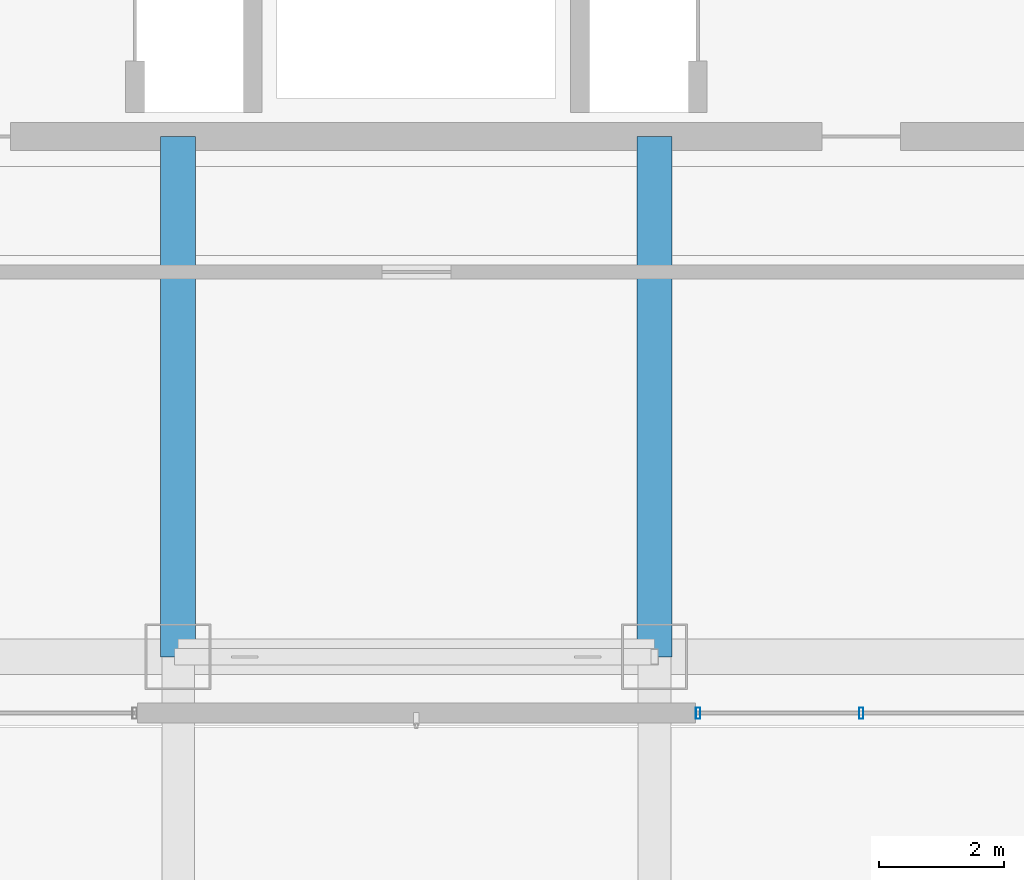
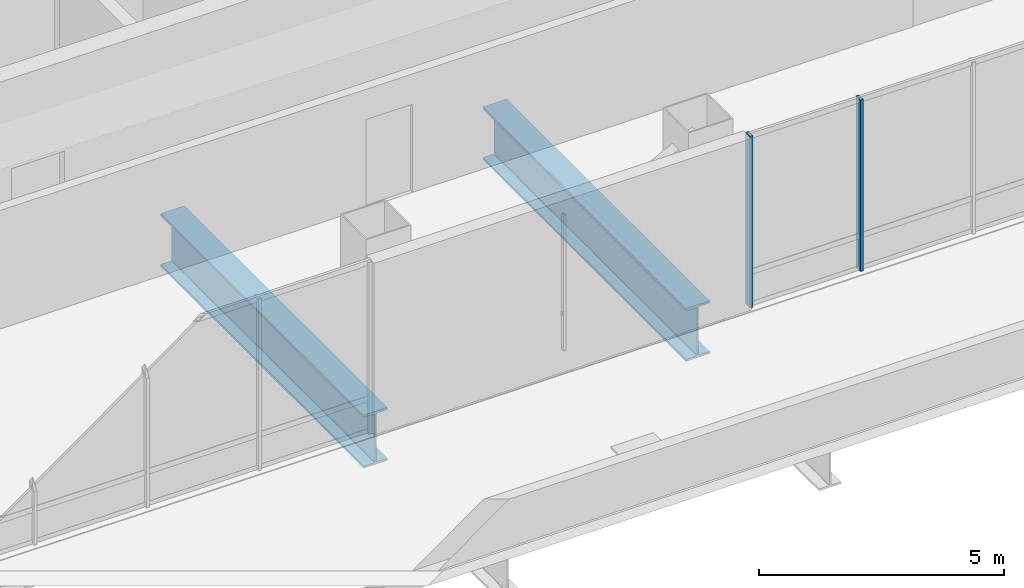
# One storey, part 7 of 33: 2 beams, 2 members, 1 element without a shape of its own.
"""IFC4 building model written with IfcOpenShell, lengths in metres."""

from ifc_helpers import new_model, si_unit, direction, frame, origin, origin_2d, place, context, subcontext, project, spatial, hollow_rectangle, i_section, extrude, material, material_profile, profile_set, type_object, element, aggregate, save


model = new_model("IFC4")

# Units and contexts
model_context = context("Model", 3, precision=1e-05, world=origin(), true_north=direction((0.0, 1.0)))
body_context = subcontext(model_context, "Body", "Model", "MODEL_VIEW")
ifc_project = project(units=[si_unit("LENGTHUNIT", "METRE"), si_unit("AREAUNIT", "SQUARE_METRE"), si_unit("VOLUMEUNIT", "CUBIC_METRE"), si_unit("PLANEANGLEUNIT", "RADIAN"), si_unit("MASSUNIT", "GRAM", prefix="KILO")], contexts=[model_context])

# Site, building, storey
site_placement = place(None, origin())
site = spatial("IfcSite", under=ifc_project, at=site_placement, CompositionType="ELEMENT")
building_placement = place(site_placement, origin())
building = spatial("IfcBuilding", under=site, at=building_placement, Name="Punatoya Terracotta Tower", CompositionType="ELEMENT")
storey_placement = place(building_placement, frame((0.0, 0.0, 343.800048828125)))
storey = spatial("IfcBuildingStorey", under=building, at=storey_placement, Name="L81", CompositionType="ELEMENT", Elevation=343.800048828125)

# Beams
ifc_material_1 = material(Name="Steel S460", Category="steel")
ifc_material_profile_1 = material_profile(ifc_material_1, i_section(OverallWidth=0.56005859375, OverallDepth=1.320068359375, WebThickness=0.035888671875, FlangeThickness=0.054931640625, FilletRadius=0.01806640625, at=origin_2d()))
ifc_profile_set_1 = profile_set([ifc_material_profile_1], Name="Steel S460")
beam_type = type_object("IfcBeamType", Name="BM-TG-BLK", PredefinedType="BEAM", material=ifc_profile_set_1)
for number, where, z_axis, x_axis, name in (
    (1, (-3.800048828125, -17.5, -0.93994140625), (0.0, 1.0, 0.0), (-1.0, 0.0, 0.0), "BM-L81-PR-S2"),
    (2, (3.800048828125, -17.5, -0.93994140625), (0.0, 1.0, 0.0), (-1.0, 0.0, 0.0), "BM-L81-PR-S3"),
):
    element("IfcBeam", number, at=place(storey_placement, frame(where, z_axis=z_axis, x_axis=x_axis)), inside=storey, type_object=beam_type, Name=name, PredefinedType="BEAM", context=body_context, shape_type="SweptSolid", body=[
        extrude(i_section(OverallWidth=0.56005859375, OverallDepth=1.320068359375, WebThickness=0.035888671875, FlangeThickness=0.054931640625, FilletRadius=0.01806640625, at=origin_2d()), origin(), (0.0, 0.0, 1.0), 8.300048828125),
    ])

# Curtain wall, members
ifc_material_2 = material(Name="Aluminium 6063-T6 + Double Low-E Glass", Category="aluminium")
curtain_wall_type = type_object("IfcCurtainWallType", Name="CW-CRN", PredefinedType="NOTDEFINED", material=ifc_material_2)
curtain_wall_placement = place(storey_placement, origin())
curtain_wall = element("IfcCurtainWall", 3, at=curtain_wall_placement, inside=storey, type_object=curtain_wall_type, Name="L81 Curtain Wall CW-L81-S01-2", PredefinedType="NOTDEFINED")
ifc_material_3 = material(Name="Aluminium 6063-T6", Category="aluminium")
ifc_material_profile_2 = material_profile(ifc_material_3, hollow_rectangle(XDim=0.070068359375, YDim=0.179931640625, WallThickness=0.00390625, at=origin_2d()))
ifc_profile_set_2 = profile_set([ifc_material_profile_2], Name="Aluminium 6063-T6")
member_type = type_object("IfcMemberType", Name="CW-MUL-M3", PredefinedType="MULLION", material=ifc_profile_set_2)
member_1_placement = place(storey_placement, frame((4.4951171875, -18.39990234375, 0.0), z_axis=(0.0, 0.0, 1.0), x_axis=(1.0, 0.0, 0.0)))
member_1 = element("IfcMember", 4, at=member_1_placement, type_object=member_type, Name="CW-L81-S01-2 Mullion 00", PredefinedType="MULLION", context=body_context, shape_type="SweptSolid", body=[
    extrude(hollow_rectangle(XDim=0.070068359375, YDim=0.179931640625, WallThickness=0.00390625, at=origin_2d()), origin(), (0.0, 0.0, 1.0), 4.280029296875),
])
member_2_placement = place(storey_placement, frame((7.097412109375, -18.39990234375, 0.0), z_axis=(0.0, 0.0, 1.0), x_axis=(1.0, 0.0, 0.0)))
member_2 = element("IfcMember", 5, at=member_2_placement, type_object=member_type, Name="CW-L81-S01-2 Mullion 01", PredefinedType="MULLION", context=body_context, shape_type="SweptSolid", body=[
    extrude(hollow_rectangle(XDim=0.070068359375, YDim=0.179931640625, WallThickness=0.00390625, at=origin_2d()), origin(), (0.0, 0.0, 1.0), 4.280029296875),
])
aggregate(curtain_wall, [member_1, member_2])

save(model, "model.ifc")
